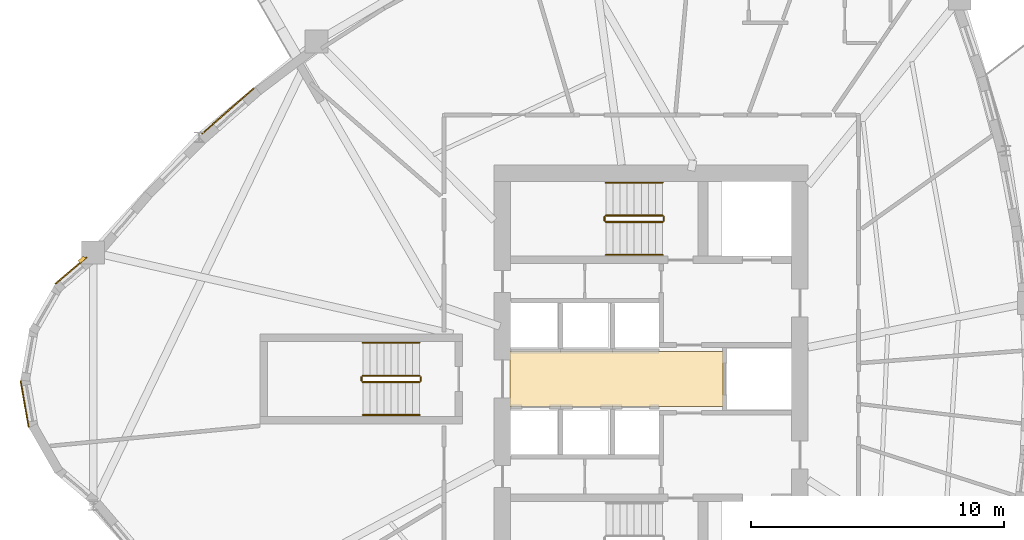
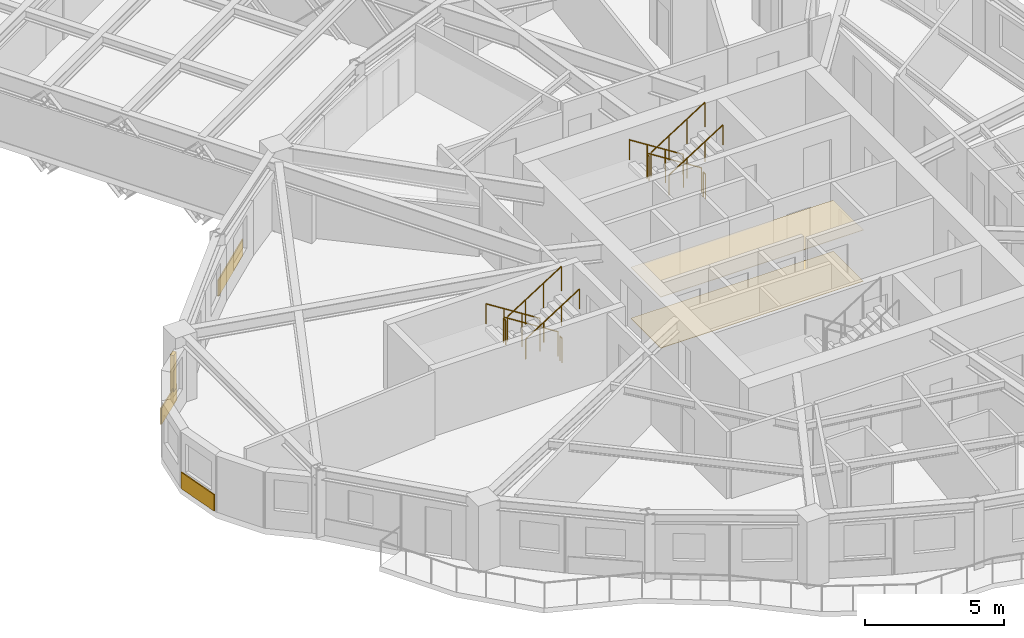
# One storey, part 12 of 14: 12 railings, 5 coverings, 1 shading device.
"""IFC4 building model written with IfcOpenShell, lengths in metres."""

from ifc_helpers import new_model, si_unit, direction, frame, origin, origin_2d, place, context, subcontext, project, spatial, polyline, rectangle, circle, outline, extrude, source, transform, mapped, material, layer, layer_set, type_object, element, save


model = new_model("IFC4")

# Units and contexts
model_context = context("Model", 3, precision=1e-05, world=origin(), true_north=direction((0.0, 1.0)))
body_context = subcontext(model_context, "Body", "Model", "MODEL_VIEW")
ifc_project = project(units=[si_unit("LENGTHUNIT", "METRE"), si_unit("AREAUNIT", "SQUARE_METRE"), si_unit("VOLUMEUNIT", "CUBIC_METRE"), si_unit("PLANEANGLEUNIT", "RADIAN"), si_unit("MASSUNIT", "GRAM", prefix="KILO")], contexts=[model_context])

# Site, building, storey
site_placement = place(None, origin())
site = spatial("IfcSite", under=ifc_project, at=site_placement, CompositionType="ELEMENT")
building_placement = place(site_placement, origin())
building = spatial("IfcBuilding", under=site, at=building_placement, Name="Qafzar Sky-Pleat Residences", CompositionType="ELEMENT")
storey_placement = place(building_placement, frame((0.0, 0.0, 83.199951171875)))
storey = spatial("IfcBuildingStorey", under=building, at=storey_placement, Name="L24", CompositionType="ELEMENT", Elevation=83.199951171875)

# Coverings
ifc_material_1 = material(Name="Perforated acoustic gypsum board ceiling")
ifc_layer_1 = layer(ifc_material_1, 0.02001953125)
ifc_layer_set_1 = layer_set([ifc_layer_1], Name="Perforated acoustic gypsum board ceiling")
covering_type_1 = type_object("IfcCoveringType", Name="COV-CEIL-ACOUSTIC", PredefinedType="CEILING", material=ifc_layer_set_1)
covering_1_placement = place(storey_placement, frame((0.0, 0.0, 2.239990234375)))
element("IfcCovering", 1, at=covering_1_placement, inside=storey, type_object=covering_type_1, Name="L24 Passenger Lift Lobby Acoustic Ceiling", PredefinedType="CEILING", context=body_context, shape_type="SweptSolid", body=[
    extrude(outline(polyline([(33.179931640625, 24.919921875), (24.77001953125, 24.919921875), (24.77001953125, 27.080078125), (33.179931640625, 27.080078125), (33.179931640625, 24.919921875)])), origin(), (0.0, 0.0, 1.0), 0.02001953125),
])
ifc_material_2 = material(Name="Honed porcelain and Riyadh stone tile flooring", Category="masonry")
ifc_layer_2 = layer(ifc_material_2, 0.02001953125)
ifc_layer_set_2 = layer_set([ifc_layer_2], Name="Honed porcelain and Riyadh stone tile flooring")
covering_type_2 = type_object("IfcCoveringType", Name="COV-FLR-PORCELAIN", PredefinedType="FLOORING", material=ifc_layer_set_2)
covering_2_placement = place(storey_placement, origin())
element("IfcCovering", 2, at=covering_2_placement, inside=storey, type_object=covering_type_2, Name="L24 Passenger Lift Lobby Honed Stone Flooring", PredefinedType="FLOORING", context=body_context, shape_type="SweptSolid", body=[
    extrude(outline(polyline([(33.179931640625, 24.919921875), (24.77001953125, 24.919921875), (24.77001953125, 27.080078125), (33.179931640625, 27.080078125), (33.179931640625, 24.919921875)])), origin(), (0.0, 0.0, 1.0), 0.02001953125),
])

# Shading device
ifc_material_3 = material(Name="Honed Riyadh limestone solar fin", Category="masonry")
ifc_layer_3 = layer(ifc_material_3, 0.139892578125)
ifc_layer_set_3 = layer_set([ifc_layer_3], Name="Honed Riyadh limestone solar fin")
shading_device_type = type_object("IfcShadingDeviceType", Name="SHD-FIN-STONE", PredefinedType="SHUTTER", material=ifc_layer_set_3)
shared_shape_1 = source(origin(), body_context, "Body", "SweptSolid", [
    extrude(rectangle(XDim=0.139892578125, YDim=0.280029296875, at=origin_2d()), origin(), (0.0, 0.0, 1.0), 1.60009765625),
])
shading_device_placement = place(storey_placement, frame((7.872314453125, 30.708740234375, 0.60009765625), z_axis=(0.0, 0.0, 1.0), x_axis=(-0.648553503037, 0.761169070377, 0.0)))
element("IfcShadingDevice", 3, at=shading_device_placement, inside=storey, type_object=shading_device_type, Name="L24 Limestone Solar Fin 1", PredefinedType="SHUTTER", context=body_context, shape_type="MappedRepresentation", body=[
    mapped(shared_shape_1, transform((0.0, 0.0, 0.0), x_axis=(1.0, 0.0, 0.0), y_axis=(0.0, 1.0, 0.0), z_axis=(0.0, 0.0, 1.0), scale=1.0)),
])

# Coverings
ifc_material_4 = material(Name="Honed Riyadh Tuwaiq limestone cladding", Category="masonry")
ifc_layer_4 = layer(ifc_material_4, 0.044921875)
ifc_layer_set_4 = layer_set([ifc_layer_4], Name="Honed Riyadh Tuwaiq limestone cladding")
covering_type_3 = type_object("IfcCoveringType", Name="COV-CLAD-STONE", PredefinedType="CLADDING", material=ifc_layer_set_4)
shared_shape_2 = source(origin(), body_context, "Body", "SweptSolid", [
    extrude(rectangle(XDim=1.629150390625, YDim=0.044921875, at=origin_2d()), origin(), (0.0, 0.0, 1.0), 0.719970703125),
])
covering_3_placement = place(storey_placement, frame((7.43603515625, 30.2802734375, 0.02001953125), z_axis=(0.0, 0.0, 1.0), x_axis=(-0.761160395249, -0.648563684386, 0.0)))
element("IfcCovering", 4, at=covering_3_placement, inside=storey, type_object=covering_type_3, Name="L24 Riyadh Limestone Spandrel Cladding 1", PredefinedType="CLADDING", context=body_context, shape_type="MappedRepresentation", body=[
    mapped(shared_shape_2, transform((0.0, 0.0, 0.0), x_axis=(1.0, 0.0, 0.0), y_axis=(0.0, 1.0, 0.0), z_axis=(0.0, 0.0, 1.0), scale=1.0)),
])
shared_shape_3 = source(origin(), body_context, "Body", "SweptSolid", [
    extrude(rectangle(XDim=1.86572265625, YDim=0.044921875, at=origin_2d()), origin(), (0.0, 0.0, 1.0), 0.719970703125),
])
covering_4_placement = place(storey_placement, frame((5.606201171875, 25.0126953125, 0.02001953125), z_axis=(0.0, 0.0, 1.0), x_axis=(0.172161515838, -0.985068734893, 0.0)))
element("IfcCovering", 5, at=covering_4_placement, inside=storey, type_object=covering_type_3, Name="L24 Riyadh Limestone Spandrel Cladding 4", PredefinedType="CLADDING", context=body_context, shape_type="MappedRepresentation", body=[
    mapped(shared_shape_3, transform((0.0, 0.0, 0.0), x_axis=(1.0, 0.0, 0.0), y_axis=(0.0, 1.0, 0.0), z_axis=(0.0, 0.0, 1.0), scale=1.0)),
])
shared_shape_4 = source(origin(), body_context, "Body", "SweptSolid", [
    extrude(rectangle(XDim=2.7255859375, YDim=0.044921875, at=origin_2d()), origin(), (0.0, 0.0, 1.0), 0.719970703125),
])
covering_5_placement = place(storey_placement, frame((13.631103515625, 36.577880859375, 0.02001953125), z_axis=(0.0, 0.0, 1.0), x_axis=(-0.751516092069, -0.65971475909, 0.0)))
element("IfcCovering", 6, at=covering_5_placement, inside=storey, type_object=covering_type_3, Name="L24 Riyadh Limestone Spandrel Cladding 46", PredefinedType="CLADDING", context=body_context, shape_type="MappedRepresentation", body=[
    mapped(shared_shape_4, transform((0.0, 0.0, 0.0), x_axis=(1.0, 0.0, 0.0), y_axis=(0.0, 1.0, 0.0), z_axis=(0.0, 0.0, 1.0), scale=1.0)),
])

# Railings
ifc_material_5 = material(Name="Painted Steel S355 stair guardrail", Category="steel")
railing_type_1 = type_object("IfcRailingType", Name="RAIL-STAIR-GUARD", PredefinedType="GUARDRAIL", material=ifc_material_5)
shared_shape_5 = source(origin(), body_context, "Body", "SweptSolid", [
    extrude(circle(Radius=0.02392578125, at=origin_2d()), frame((0.0, 0.0, 1.076171875), z_axis=(0.0, -1.0, 0.0), x_axis=(1.0, 0.0, 0.0)), (0.0, 0.0, 1.0), 0.14990234375),
    extrude(circle(Radius=0.02099609375, at=origin_2d()), origin(), (0.0, 0.0, 1.0), 1.052001953125),
    extrude(circle(Radius=0.02099609375, at=origin_2d()), frame((0.0, -0.14990234375, 0.0)), (0.0, 0.0, 1.0), 1.052001953125),
])
for number, where, name in (
    (7, (28.510009765625, 32.39990234375, 1.60009765625), "L24 ST2 stair guard 2"),
    (8, (30.85009765625, 32.39990234375, 0.0), "L24 ST2 stair guard 4"),
    (9, (18.909912109375, 26.074951171875, 1.60009765625), "L24 ST3 stair guard 2"),
    (10, (21.25, 26.074951171875, 0.0), "L24 ST3 stair guard 4"),
):
    element("IfcRailing", number, at=place(storey_placement, frame(where)), inside=storey, type_object=railing_type_1, Name=name, PredefinedType="GUARDRAIL", context=body_context, shape_type="MappedRepresentation", body=[
        mapped(shared_shape_5, transform((0.0, 0.0, 0.0), x_axis=(1.0, 0.0, 0.0), y_axis=(0.0, 1.0, 0.0), z_axis=(0.0, 0.0, 1.0), scale=1.0)),
    ])
shared_shape_6 = source(origin(), body_context, "Body", "SweptSolid", [
    extrude(circle(Radius=0.02392578125, at=origin_2d()), frame((0.0, 0.0, 1.076171875), z_axis=(0.8442293374, 0.0, 0.53598211339), x_axis=(0.0, 1.0, 0.0)), (0.0, 0.0, 1.0), 2.6533203125),
    extrude(circle(Radius=0.02099609375, at=origin_2d()), origin(), (0.0, 0.0, 1.0), 1.052001953125),
    extrude(circle(Radius=0.02099609375, at=origin_2d()), frame((0.74658203125, 0.0, 0.47412109375)), (0.0, 0.0, 1.0), 1.052001953125),
    extrude(circle(Radius=0.02099609375, at=origin_2d()), frame((1.493408203125, 0.0, 0.947998046875)), (0.0, 0.0, 1.0), 1.052001953125),
    extrude(circle(Radius=0.02099609375, at=origin_2d()), frame((2.239990234375, 0.0, 1.422119140625)), (0.0, 0.0, 1.0), 1.052001953125),
])
for number, where, name in (
    (11, (28.56005859375, 32.199951171875, 1.77783203125), "L24 ST2 stair guard 3"),
    (12, (18.9599609375, 25.875, 1.77783203125), "L24 ST3 stair guard 3"),
):
    element("IfcRailing", number, at=place(storey_placement, frame(where)), inside=storey, type_object=railing_type_1, Name=name, PredefinedType="GUARDRAIL", context=body_context, shape_type="MappedRepresentation", body=[
        mapped(shared_shape_6, transform((0.0, 0.0, 0.0), x_axis=(1.0, 0.0, 0.0), y_axis=(0.0, 1.0, 0.0), z_axis=(0.0, 0.0, 1.0), scale=1.0)),
    ])
ifc_material_6 = material(Name="Brushed stainless steel handrail", Category="steel")
railing_type_2 = type_object("IfcRailingType", Name="RAIL-STAIR-HAND", PredefinedType="HANDRAIL", material=ifc_material_6)
shared_shape_7 = source(origin(), body_context, "Body", "SweptSolid", [
    extrude(circle(Radius=0.02392578125, at=origin_2d()), frame((0.0, 0.0, 0.8759765625), z_axis=(0.8442293374, 0.0, 0.53598211339), x_axis=(0.0, 1.0, 0.0)), (0.0, 0.0, 1.0), 2.6533203125),
    extrude(circle(Radius=0.02099609375, at=origin_2d()), origin(), (0.0, 0.0, 1.0), 0.851806640625),
    extrude(circle(Radius=0.02099609375, at=origin_2d()), frame((0.74658203125, 0.0, 0.47412109375)), (0.0, 0.0, 1.0), 0.851806640625),
    extrude(circle(Radius=0.02099609375, at=origin_2d()), frame((1.493408203125, 0.0, 0.947998046875)), (0.0, 0.0, 1.0), 0.851806640625),
    extrude(circle(Radius=0.02099609375, at=origin_2d()), frame((2.239990234375, 0.0, 1.422119140625)), (0.0, 0.0, 1.0), 0.851806640625),
])
for number, where, name in (
    (13, (28.56005859375, 30.89990234375, 1.77783203125), "L24 ST2 stair handrail 2"),
    (14, (18.9599609375, 24.574951171875, 1.77783203125), "L24 ST3 stair handrail 2"),
):
    element("IfcRailing", number, at=place(storey_placement, frame(where)), inside=storey, type_object=railing_type_2, Name=name, PredefinedType="HANDRAIL", context=body_context, shape_type="MappedRepresentation", body=[
        mapped(shared_shape_7, transform((0.0, 0.0, 0.0), x_axis=(1.0, 0.0, 0.0), y_axis=(0.0, 1.0, 0.0), z_axis=(0.0, 0.0, 1.0), scale=1.0)),
    ])
shared_shape_8 = source(origin(), body_context, "Body", "SweptSolid", [
    extrude(circle(Radius=0.02392578125, at=origin_2d()), frame((0.0, 0.0, 1.076171875), z_axis=(-0.84418770128, 0.0, 0.536047689118), x_axis=(0.0, -1.0, 0.0)), (0.0, 0.0, 1.0), 2.6533203125),
    extrude(circle(Radius=0.02099609375, at=origin_2d()), origin(), (0.0, 0.0, 1.0), 1.052001953125),
    extrude(circle(Radius=0.02099609375, at=origin_2d()), frame((-0.74658203125, 0.0, 0.47412109375)), (0.0, 0.0, 1.0), 1.052001953125),
    extrude(circle(Radius=0.02099609375, at=origin_2d()), frame((-1.493408203125, 0.0, 0.9482421875)), (0.0, 0.0, 1.0), 1.052001953125),
    extrude(circle(Radius=0.02099609375, at=origin_2d()), frame((-2.239990234375, 0.0, 1.42236328125)), (0.0, 0.0, 1.0), 1.052001953125),
])
for number, where, name in (
    (15, (30.800048828125, 32.449951171875, 0.177734375), "L24 ST2 stair guard 1"),
    (16, (21.199951171875, 26.125, 0.177734375), "L24 ST3 stair guard 1"),
):
    element("IfcRailing", number, at=place(storey_placement, frame(where)), inside=storey, type_object=railing_type_1, Name=name, PredefinedType="GUARDRAIL", context=body_context, shape_type="MappedRepresentation", body=[
        mapped(shared_shape_8, transform((0.0, 0.0, 0.0), x_axis=(1.0, 0.0, 0.0), y_axis=(0.0, 1.0, 0.0), z_axis=(0.0, 0.0, 1.0), scale=1.0)),
    ])
shared_shape_9 = source(origin(), body_context, "Body", "SweptSolid", [
    extrude(circle(Radius=0.02392578125, at=origin_2d()), frame((0.0, 0.0, 0.8759765625), z_axis=(-0.84418770128, 0.0, 0.536047689118), x_axis=(0.0, -1.0, 0.0)), (0.0, 0.0, 1.0), 2.6533203125),
    extrude(circle(Radius=0.02099609375, at=origin_2d()), origin(), (0.0, 0.0, 1.0), 0.851806640625),
    extrude(circle(Radius=0.02099609375, at=origin_2d()), frame((-0.74658203125, 0.0, 0.47412109375)), (0.0, 0.0, 1.0), 0.851806640625),
    extrude(circle(Radius=0.02099609375, at=origin_2d()), frame((-1.493408203125, 0.0, 0.9482421875)), (0.0, 0.0, 1.0), 0.851806640625),
    extrude(circle(Radius=0.02099609375, at=origin_2d()), frame((-2.239990234375, 0.0, 1.42236328125)), (0.0, 0.0, 1.0), 0.851806640625),
])
for number, where, name in (
    (17, (30.800048828125, 33.75, 0.177734375), "L24 ST2 stair handrail 1"),
    (18, (21.199951171875, 27.425048828125, 0.177734375), "L24 ST3 stair handrail 1"),
):
    element("IfcRailing", number, at=place(storey_placement, frame(where)), inside=storey, type_object=railing_type_2, Name=name, PredefinedType="HANDRAIL", context=body_context, shape_type="MappedRepresentation", body=[
        mapped(shared_shape_9, transform((0.0, 0.0, 0.0), x_axis=(1.0, 0.0, 0.0), y_axis=(0.0, 1.0, 0.0), z_axis=(0.0, 0.0, 1.0), scale=1.0)),
    ])

save(model, "model.ifc")
